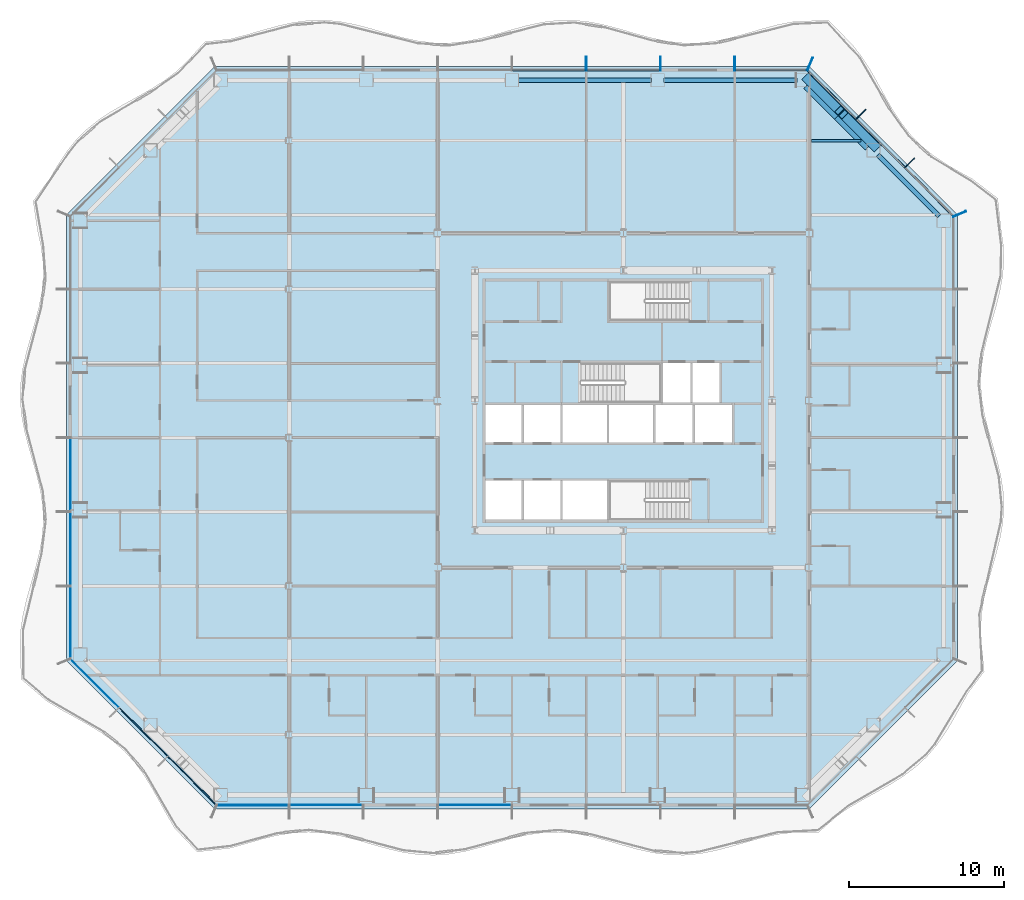
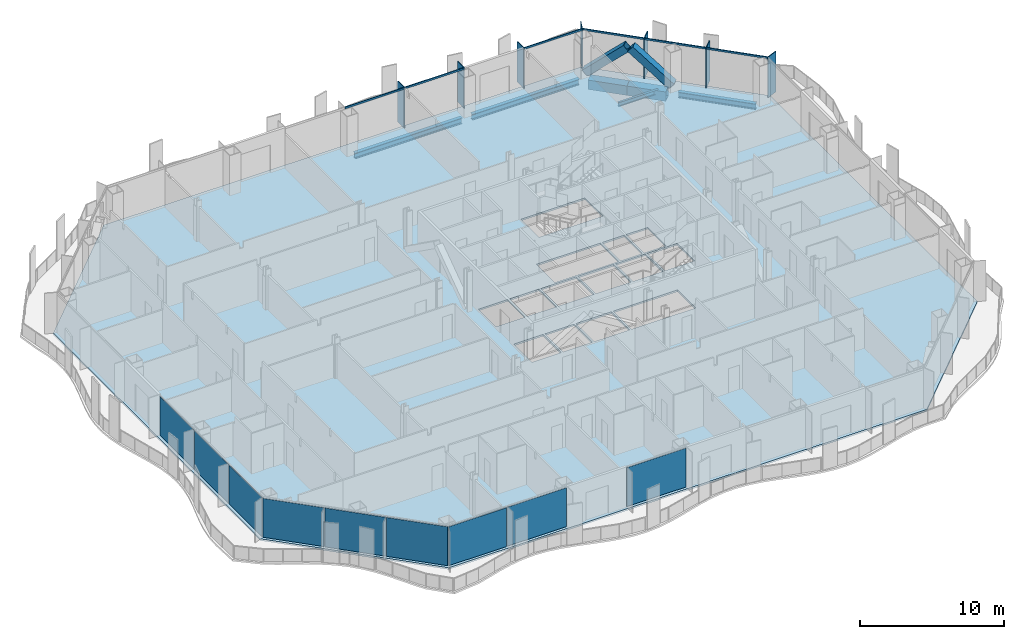
# One storey, part 4 of 20: 15 members, 9 plates, 6 beams, 1 slab, 5 elements without a shape of their own.
"""IFC4 building model written with IfcOpenShell, lengths in metres."""

import ifcopenshell
import ifcopenshell.guid

model = None  # the IFC model being written
_history = None  # IfcOwnerHistory: only IFC2X3 demands one
_inside = {}  # id of a spatial element -> (the spatial element, [elements in it])
_under = {}  # id of a project, library or spatial element -> (it, [spatial elements below it])
_declared = {}  # id of a project -> (the project, [libraries it declares])
_typed = {}  # id of a type object -> (the type object, [elements of that type])
_made_of = {}  # id of a material, layer set ... -> (it, [elements and type objects made of it])


def new_model(schema):
    """Start an empty IFC model of exactly this schema.

    Asked for "IFC4X3", IfcOpenShell would pick the latest addendum, in which some entities
    have other attributes; the version numbers below select the first issue.
    IFC2X3 requires an IfcOwnerHistory on every rooted entity: one is made here for all.
    """
    global model, _history
    if schema == "IFC4X3":
        model = ifcopenshell.file(schema_version=(4, 3, 0, 0))
    else:
        model = ifcopenshell.file(schema=schema)
    _inside.clear()
    _under.clear()
    _declared.clear()
    _typed.clear()
    _made_of.clear()
    _history = None
    if model.schema == "IFC2X3":
        org = make("IfcOrganization", Name="unknown")
        user = make(
            "IfcPersonAndOrganization",
            ThePerson=make("IfcPerson", FamilyName="unknown"),
            TheOrganization=org,
        )
        app = make(
            "IfcApplication",
            ApplicationDeveloper=org,
            Version="unknown",
            ApplicationFullName="unknown",
            ApplicationIdentifier="unknown",
        )
        _history = make(
            "IfcOwnerHistory",
            OwningUser=user,
            OwningApplication=app,
            ChangeAction="ADDED",
            CreationDate=0,
        )
    return model


def make(cls, **values):
    """One entity of the class cls with the attributes given. An attribute that is None is left unset."""
    return model.create_entity(
        cls, **{name: value for name, value in values.items() if value is not None}
    )


def rooted(cls, **values):
    """An entity with a GlobalId (a new one), such as an element, a storey or a relation."""
    return make(cls, GlobalId=ifcopenshell.guid.new(), OwnerHistory=_history, **values)


def si_unit(unit_type, name, prefix=None):
    """IfcSIUnit, for example si_unit("LENGTHUNIT", "METRE", prefix="MILLI")."""
    return make("IfcSIUnit", UnitType=unit_type, Prefix=prefix, Name=name)


def assignment(units):
    """IfcUnitAssignment: the units of a project."""
    return None if units is None else make("IfcUnitAssignment", Units=units)


def point(xyz):
    """IfcCartesianPoint."""
    return None if xyz is None else make("IfcCartesianPoint", Coordinates=xyz)


def direction(xyz):
    """IfcDirection."""
    return None if xyz is None else make("IfcDirection", DirectionRatios=xyz)


def frame(location, z_axis=None, x_axis=None):
    """IfcAxis2Placement3D, a coordinate frame: its origin and axes. An axis left out is left unset."""
    return make(
        "IfcAxis2Placement3D",
        Location=point(location),
        Axis=direction(z_axis),
        RefDirection=direction(x_axis),
    )


def frame_2d(location, x_axis=None):
    """IfcAxis2Placement2D, a coordinate frame in the plane: its origin and x axis."""
    return make(
        "IfcAxis2Placement2D", Location=point(location), RefDirection=direction(x_axis)
    )


def origin():
    """The frame at (0, 0, 0) with its axes left unset."""
    return frame((0.0, 0.0, 0.0))


def origin_2d():
    """The frame at (0, 0) in the plane with its x axis left unset."""
    return frame_2d((0.0, 0.0))


def place(relative_to, where):
    """IfcLocalPlacement: puts the frame where relative to a parent placement (None: the world)."""
    return make(
        "IfcLocalPlacement", PlacementRelTo=relative_to, RelativePlacement=where
    )


def context(
    kind, dimensions, precision=None, world=None, true_north=None, identifier=None
):
    """IfcGeometricRepresentationContext, for example the 3D "Model" context."""
    return make(
        "IfcGeometricRepresentationContext",
        ContextIdentifier=identifier,
        ContextType=kind,
        CoordinateSpaceDimension=dimensions,
        Precision=precision,
        WorldCoordinateSystem=world,
        TrueNorth=true_north,
    )


def subcontext(parent, identifier, kind, view, scale=None):
    """IfcGeometricRepresentationSubContext, for example "Body" below "Model"."""
    return make(
        "IfcGeometricRepresentationSubContext",
        ContextIdentifier=identifier,
        ContextType=kind,
        ParentContext=parent,
        TargetScale=scale,
        TargetView=view,
    )


def project(units=None, contexts=None):
    """IfcProject with its units and contexts."""
    return rooted(
        "IfcProject",
        Name="project",
        RepresentationContexts=contexts,
        UnitsInContext=assignment(units),
    )


def spatial(cls, under=None, at=None, **own):
    """A site, building, storey or space (cls), placed at a placement, below another one or the project."""
    s = rooted(cls, ObjectPlacement=at, **own)
    if under is not None:
        _under.setdefault(under.id(), (under, []))[1].append(s)
    return s


def polyline(points):
    """IfcPolyline through the points."""
    return make("IfcPolyline", Points=[point(p) for p in points])


def profile(cls, at=None, kind="AREA", **sizes):
    """A parametric profile (cls). Its sizes go by their IFC names, for example OverallWidth=200.0."""
    return make(cls, ProfileType=kind, Position=at, **sizes)


def rectangle(**sizes):
    """IfcRectangleProfileDef."""
    return profile("IfcRectangleProfileDef", **sizes)


def hollow_rectangle(**sizes):
    """IfcRectangleHollowProfileDef."""
    return profile("IfcRectangleHollowProfileDef", **sizes)


def i_section(**sizes):
    """IfcIShapeProfileDef."""
    return profile("IfcIShapeProfileDef", **sizes)


def outline(outer, holes=None, kind="AREA"):
    """IfcArbitraryClosedProfileDef: a profile drawn as a closed curve; with holes, ...WithVoids."""
    if holes is None:
        return make("IfcArbitraryClosedProfileDef", ProfileType=kind, OuterCurve=outer)
    return make(
        "IfcArbitraryProfileDefWithVoids",
        ProfileType=kind,
        OuterCurve=outer,
        InnerCurves=holes,
    )


def extrude(swept, where, along, depth):
    """IfcExtrudedAreaSolid: the profile swept, set in the frame where, extruded along a direction by depth."""
    return make(
        "IfcExtrudedAreaSolid",
        SweptArea=swept,
        Position=where,
        ExtrudedDirection=direction(along),
        Depth=depth,
    )


def shape(context_of_items, identifier, shape_type, items):
    """IfcShapeRepresentation: the items that make up one representation, for example the "Body"."""
    return make(
        "IfcShapeRepresentation",
        ContextOfItems=context_of_items,
        RepresentationIdentifier=identifier,
        RepresentationType=shape_type,
        Items=items,
    )


def material(Name=None, Category=None):
    """IfcMaterial."""
    return make("IfcMaterial", Name=Name, Category=Category)


def layer(
    of_material, thickness, ventilated=None, Name=None, Category=None, Priority=None
):
    """IfcMaterialLayer: one layer of a wall or slab, of a material (None: an air gap)."""
    return make(
        "IfcMaterialLayer",
        Material=of_material,
        LayerThickness=thickness,
        IsVentilated=ventilated,
        Name=Name,
        Category=Category,
        Priority=Priority,
    )


def layer_set(layers, Name=None):
    """IfcMaterialLayerSet."""
    return make("IfcMaterialLayerSet", MaterialLayers=layers, LayerSetName=Name)


def material_profile(
    of_material, cross_section, Name=None, Category=None, Priority=None
):
    """IfcMaterialProfile: a cross section and its material."""
    return make(
        "IfcMaterialProfile",
        Name=Name,
        Material=of_material,
        Profile=cross_section,
        Priority=Priority,
        Category=Category,
    )


def profile_set(profiles, Name=None, composite=None):
    """IfcMaterialProfileSet."""
    return make(
        "IfcMaterialProfileSet",
        Name=Name,
        MaterialProfiles=profiles,
        CompositeProfile=composite,
    )


def made_of(thing, what):
    """Note that an element or type object is made of a material, layer set ...; save() writes the relation."""
    if what is not None:
        _made_of.setdefault(what.id(), (what, []))[1].append(thing)
    return thing


def type_object(cls, material=None, **own):
    """A type object (cls), such as IfcWallType, which elements share."""
    return made_of(rooted(cls, **own), material)


def element(
    cls,
    number,
    at=None,
    inside=None,
    cuts=None,
    type_object=None,
    material=None,
    context=None,
    identifier="Body",
    shape_type=None,
    held_by="IfcProductDefinitionShape",
    body=None,
    shapes=None,
    **own,
):
    """One element of the class cls, such as IfcWall. Its Tag is "e" and its number.

    at: its placement. inside: the storey or other place that contains it. cuts: it is an
    opening in that element (IfcRelVoidsElement). A single representation is given by context,
    identifier, shape_type and body (its items); several are given by shapes. held_by: the class
    of the entity that holds the representations. save() writes the other relations.
    """
    e = rooted(cls, Tag="e%d" % number, ObjectPlacement=at, **own)
    if body is not None:
        shapes = [shape(context, identifier, shape_type, body)]
    if shapes is not None:
        e.Representation = make(held_by, Representations=shapes)
    if inside is not None:
        _inside.setdefault(inside.id(), (inside, []))[1].append(e)
    if cuts is not None:
        rooted(
            "IfcRelVoidsElement", RelatingBuildingElement=cuts, RelatedOpeningElement=e
        )
    if type_object is not None:
        _typed.setdefault(type_object.id(), (type_object, []))[1].append(e)
    return made_of(e, material)


def aggregate(whole, parts):
    """IfcRelAggregates: a whole, such as a stair, and the parts it consists of."""
    return rooted("IfcRelAggregates", RelatingObject=whole, RelatedObjects=parts)


def save(model, path):
    """Write the relations noted so far, then the file.

    IfcRelAggregates (storeys below a building ...), IfcRelContainedInSpatialStructure (elements
    in a storey), IfcRelDefinesByType, IfcRelAssociatesMaterial and IfcRelDeclares: one each for
    every whole, place, type object, material and project.
    """
    for whole, parts in _under.values():
        aggregate(whole, parts)
    for where, things in _inside.values():
        rooted(
            "IfcRelContainedInSpatialStructure",
            RelatedElements=things,
            RelatingStructure=where,
        )
    for kind, things in _typed.values():
        rooted("IfcRelDefinesByType", RelatedObjects=things, RelatingType=kind)
    for what, things in _made_of.values():
        rooted("IfcRelAssociatesMaterial", RelatedObjects=things, RelatingMaterial=what)
    for by, libraries in _declared.values():
        rooted("IfcRelDeclares", RelatingContext=by, RelatedDefinitions=libraries)
    model.write(path)


model = new_model("IFC4")

# Units and contexts
model_context = context("Model", 3, precision=1e-05, world=origin(), true_north=direction((0.0, 1.0)))
body_context = subcontext(model_context, "Body", "Model", "MODEL_VIEW")
ifc_project = project(units=[si_unit("LENGTHUNIT", "METRE"), si_unit("AREAUNIT", "SQUARE_METRE"), si_unit("VOLUMEUNIT", "CUBIC_METRE"), si_unit("PLANEANGLEUNIT", "RADIAN"), si_unit("MASSUNIT", "GRAM", prefix="KILO")], contexts=[model_context])

# Site, building, storey
site_placement = place(None, origin())
site = spatial("IfcSite", under=ifc_project, at=site_placement, CompositionType="ELEMENT")
building_placement = place(site_placement, origin())
building = spatial("IfcBuilding", under=site, at=building_placement, Name="Cairn Pilgrim Tower", CompositionType="ELEMENT")
storey_placement = place(building_placement, frame((0.0, 0.0, 83.39990234375)))
storey = spatial("IfcBuildingStorey", under=building, at=storey_placement, Name="L19", CompositionType="ELEMENT", Elevation=83.39990234375)

# Members
ifc_material_1 = material(Name="Structural steel S460M", Category="steel")
ifc_material_profile_1 = material_profile(ifc_material_1, hollow_rectangle(XDim=0.60009765625, YDim=0.60009765625, WallThickness=0.034912109375, at=origin_2d()), Name="BOX 600x600x35")
ifc_profile_set_1 = profile_set([ifc_material_profile_1], Name="Structural steel S460M")
member_type_1 = type_object("IfcMemberType", Name="BOX 600x600x35 BRACE", PredefinedType="BRACE", material=ifc_profile_set_1)
for number, where, z_axis, x_axis, name in (
    (1, (23.4873046875, 18.814697265625, 0.150146484375), (-0.528960912345, 0.52889942671, 0.663675937214), (-0.70706568108, -0.707147878904, 0.0), "XB-NE2-N1-1"),
    (2, (19.078125, 23.2236328125, 0.150146484375), (0.528943710525, -0.528943710525, 0.663654354459), (0.707106781187, 0.707106781187, 0.0), "XB-NE2-N1-2"),
):
    element("IfcMember", number, at=place(storey_placement, frame(where, z_axis=z_axis, x_axis=x_axis)), inside=storey, type_object=member_type_1, Name=name, PredefinedType="BRACE", context=body_context, shape_type="SweptSolid", body=[
        extrude(hollow_rectangle(XDim=0.60009765625, YDim=0.60009765625, WallThickness=0.034912109375, at=origin_2d()), origin(), (0.0, 0.0, 1.0), 3.970703125),
    ])

# Beams
ifc_material_2 = material(Name="Structural steel S355J2", Category="steel")
ifc_material_profile_2 = material_profile(ifc_material_2, hollow_rectangle(XDim=0.699951171875, YDim=0.800048828125, WallThickness=0.0400390625, at=origin_2d()), Name="BOX 700x800x40")
ifc_profile_set_2 = profile_set([ifc_material_profile_2], Name="Structural steel S355J2")
beam_type_1 = type_object("IfcBeamType", Name="BOX 700x800x40 RING GIRDER", PredefinedType="SPANDREL", material=ifc_profile_set_2)
beam_1_placement = place(storey_placement, frame((23.0771484375, 18.85009765625, -0.5498046875), z_axis=(-0.707106781187, 0.707106781187, 0.0), x_axis=(-0.707106781187, -0.707106781187, 0.0)))
element("IfcBeam", 3, at=beam_1_placement, inside=storey, type_object=beam_type_1, Name="RG1-NE2-N1-1", PredefinedType="SPANDREL", context=body_context, shape_type="SweptSolid", body=[
    extrude(hollow_rectangle(XDim=0.699951171875, YDim=0.800048828125, WallThickness=0.0400390625, at=origin_2d()), origin(), (0.0, 0.0, 1.0), 2.802490234375),
])
beam_2_placement = place(storey_placement, frame((21.095458984375, 20.831787109375, -0.5498046875), z_axis=(-0.707106781187, 0.707106781187, 0.0), x_axis=(-0.707106781187, -0.707106781187, 0.0)))
element("IfcBeam", 4, at=beam_2_placement, inside=storey, type_object=beam_type_1, Name="RG1-NE2-N1-2", PredefinedType="SPANDREL", context=body_context, shape_type="SweptSolid", body=[
    extrude(hollow_rectangle(XDim=0.699951171875, YDim=0.800048828125, WallThickness=0.0400390625, at=origin_2d()), origin(), (0.0, 0.0, 1.0), 2.802978515625),
])

# Curtain wall, members
ifc_material_3 = material(Name="Aluminium alloy 6063-T6 bronze anodised with Bronze tinted laminated low-E glass 8+16+8.8", Category="aluminium")
curtain_wall_type_1 = type_object("IfcCurtainWallType", Name="CHAMFER CORNER CURTAIN WALL", PredefinedType="NOTDEFINED", material=ifc_material_3)
curtain_wall_1_placement = place(storey_placement, origin())
curtain_wall_1 = element("IfcCurtainWall", 5, at=curtain_wall_1_placement, inside=storey, type_object=curtain_wall_type_1, Name="Chamfer Corner Curtain Wall NE", PredefinedType="NOTDEFINED")
ifc_material_4 = material(Name="Aluminium alloy 6063-T6 bronze anodised", Category="aluminium")
ifc_material_profile_3 = material_profile(ifc_material_4, rectangle(XDim=0.89990234375, YDim=0.06005859375, at=origin_2d()), Name="FIN MULLION 60x900 BRONZE")
ifc_profile_set_3 = profile_set([ifc_material_profile_3], Name="Aluminium alloy 6063-T6 bronze anodised")
member_type_2 = type_object("IfcMemberType", Name="FIN MULLION 60x900 BRONZE", PredefinedType="MULLION", material=ifc_profile_set_3)
member_1_placement = place(storey_placement, frame((28.93798828125, 14.457275390625, 0.0), z_axis=(0.0, 0.0, 1.0), x_axis=(0.923879532511, 0.382683432365, 0.0)))
member_1 = element("IfcMember", 6, at=member_1_placement, type_object=member_type_2, Name="Fin mullion NE1", PredefinedType="MULLION", context=body_context, shape_type="SweptSolid", body=[
    extrude(rectangle(XDim=0.89990234375, YDim=0.06005859375, at=origin_2d()), origin(), (0.0, 0.0, 1.0), 3.4501953125),
])
member_2_placement = place(storey_placement, frame((25.69580078125, 17.74462890625, 0.0), z_axis=(0.0, 0.0, 1.0), x_axis=(0.707106781187, 0.707106781187, 0.0)))
member_2 = element("IfcMember", 7, at=member_2_placement, type_object=member_type_2, Name="Fin mullion NE2", PredefinedType="MULLION", context=body_context, shape_type="SweptSolid", body=[
    extrude(rectangle(XDim=0.89990234375, YDim=0.06005859375, at=origin_2d()), origin(), (0.0, 0.0, 1.0), 3.4501953125),
])
member_3_placement = place(storey_placement, frame((22.544677734375, 20.895751953125, 0.0), z_axis=(0.0, 0.0, 1.0), x_axis=(0.707106781187, 0.707106781187, 0.0)))
member_3 = element("IfcMember", 8, at=member_3_placement, type_object=member_type_2, Name="Fin mullion NE3", PredefinedType="MULLION", context=body_context, shape_type="SweptSolid", body=[
    extrude(rectangle(XDim=0.89990234375, YDim=0.06005859375, at=origin_2d()), origin(), (0.0, 0.0, 1.0), 3.4501953125),
])

curtain_wall_type_2 = type_object("IfcCurtainWallType", Name="TOWER STICK CURTAIN WALL NS", PredefinedType="NOTDEFINED", material=ifc_material_3)
curtain_wall_2_placement = place(storey_placement, origin())
curtain_wall_2 = element("IfcCurtainWall", 9, at=curtain_wall_2_placement, inside=storey, type_object=curtain_wall_type_2, Name="Tower Stick Curtain Wall Ns N", PredefinedType="NOTDEFINED")
member_4_placement = place(storey_placement, frame((19.257080078125, 24.137939453125, 0.0), z_axis=(0.0, 0.0, 1.0), x_axis=(0.382683432365, 0.923879532511, 0.0)))
member_4 = element("IfcMember", 10, at=member_4_placement, type_object=member_type_2, Name="Fin mullion N1", PredefinedType="MULLION", context=body_context, shape_type="SweptSolid", body=[
    extrude(rectangle(XDim=0.89990234375, YDim=0.06005859375, at=origin_2d()), origin(), (0.0, 0.0, 1.0), 3.4501953125),
])
member_5_placement = place(storey_placement, frame((14.39990234375, 24.169921875, 0.0), z_axis=(0.0, 0.0, 1.0), x_axis=(0.0, 1.0, 0.0)))
member_5 = element("IfcMember", 11, at=member_5_placement, type_object=member_type_2, Name="Fin mullion N2", PredefinedType="MULLION", context=body_context, shape_type="SweptSolid", body=[
    extrude(rectangle(XDim=0.89990234375, YDim=0.06005859375, at=origin_2d()), origin(), (0.0, 0.0, 1.0), 3.4501953125),
])
member_6_placement = place(storey_placement, frame((9.60009765625, 24.169921875, 0.0), z_axis=(0.0, 0.0, 1.0), x_axis=(0.0, 1.0, 0.0)))
member_6 = element("IfcMember", 12, at=member_6_placement, type_object=member_type_2, Name="Fin mullion N3", PredefinedType="MULLION", context=body_context, shape_type="SweptSolid", body=[
    extrude(rectangle(XDim=0.89990234375, YDim=0.06005859375, at=origin_2d()), origin(), (0.0, 0.0, 1.0), 3.4501953125),
])
member_7_placement = place(storey_placement, frame((4.800048828125, 24.169921875, 0.0), z_axis=(0.0, 0.0, 1.0), x_axis=(0.0, 1.0, 0.0)))
member_7 = element("IfcMember", 13, at=member_7_placement, type_object=member_type_2, Name="Fin mullion N4", PredefinedType="MULLION", context=body_context, shape_type="SweptSolid", body=[
    extrude(rectangle(XDim=0.89990234375, YDim=0.06005859375, at=origin_2d()), origin(), (0.0, 0.0, 1.0), 3.4501953125),
])

# Beams
ifc_material_profile_4 = material_profile(ifc_material_2, i_section(OverallWidth=0.300048828125, OverallDepth=0.5, WebThickness=0.014404296875, FlangeThickness=0.028076171875, FilletRadius=0.027099609375, at=origin_2d()), Name="HEB 500")
ifc_profile_set_4 = profile_set([ifc_material_profile_4], Name="Structural steel S355J2")
beam_type_2 = type_object("IfcBeamType", Name="HEB 500 RING GIRDER", PredefinedType="SPANDREL", material=ifc_profile_set_4)
beam_3_placement = place(storey_placement, frame((27.613525390625, 14.313720703125, -0.39990234375), z_axis=(-0.707128558756, 0.707085002947, 0.0), x_axis=(-0.707085002947, -0.707128558756, 0.0)))
element("IfcBeam", 14, at=beam_3_placement, inside=storey, type_object=beam_type_2, Name="RG1-NE1-NE2", PredefinedType="SPANDREL", context=body_context, shape_type="SweptSolid", body=[
    extrude(i_section(OverallWidth=0.300048828125, OverallDepth=0.5, WebThickness=0.014404296875, FlangeThickness=0.028076171875, FilletRadius=0.027099609375, at=origin_2d()), origin(), (0.0, 0.0, 1.0), 5.605224609375),
])
for number, where, z_axis, x_axis, name in (
    (15, (18.422119140625, 23.10009765625, -0.39990234375), (-1.0, 0.0, 0.0), (0.0, -1.0, 0.0), "RG1-N1-N2"),
    (16, (9.008544921875, 23.10009765625, -0.39990234375), (-1.0, 0.0, 0.0), (0.0, -1.0, 0.0), "RG1-N2-N3"),
):
    element("IfcBeam", number, at=place(storey_placement, frame(where, z_axis=z_axis, x_axis=x_axis)), inside=storey, type_object=beam_type_2, Name=name, PredefinedType="SPANDREL", context=body_context, shape_type="SweptSolid", body=[
        extrude(i_section(OverallWidth=0.300048828125, OverallDepth=0.5, WebThickness=0.014404296875, FlangeThickness=0.028076171875, FilletRadius=0.027099609375, at=origin_2d()), origin(), (0.0, 0.0, 1.0), 8.603515625),
    ])
ifc_material_profile_5 = material_profile(ifc_material_2, i_section(OverallWidth=0.169921875, OverallDepth=0.360107421875, WebThickness=0.008056640625, FlangeThickness=0.0126953125, FilletRadius=0.01806640625, at=origin_2d()), Name="IPE 360")
ifc_profile_set_5 = profile_set([ifc_material_profile_5], Name="Structural steel S355J2")
beam_type_3 = type_object("IfcBeamType", Name="IPE 360 SECONDARY BEAM", PredefinedType="JOIST", material=ifc_profile_set_5)
beam_4_placement = place(storey_placement, frame((19.35009765625, 19.199951171875, -0.329833984375), z_axis=(1.0, 0.0, 0.0), x_axis=(0.0, 1.0, 0.0)))
element("IfcBeam", 17, at=beam_4_placement, inside=storey, type_object=beam_type_3, Name="SB9-5", PredefinedType="JOIST", context=body_context, shape_type="SweptSolid", body=[
    extrude(i_section(OverallWidth=0.169921875, OverallDepth=0.360107421875, WebThickness=0.008056640625, FlangeThickness=0.0126953125, FilletRadius=0.01806640625, at=origin_2d()), origin(), (0.0, 0.0, 1.0), 3.195068359375),
])

# Member
ifc_material_profile_6 = material_profile(ifc_material_4, rectangle(XDim=0.080078125, YDim=0.14990234375, at=origin_2d()), Name="TRANSOM 80x150 BRONZE")
ifc_profile_set_6 = profile_set([ifc_material_profile_6], Name="Aluminium alloy 6063-T6 bronze anodised")
member_type_3 = type_object("IfcMemberType", Name="TRANSOM 80x150 BRONZE", PredefinedType="USERDEFINED", material=ifc_profile_set_6)
member_8_placement = place(storey_placement, frame((28.521728515625, 14.32470703125, 3.375), z_axis=(-0.707106781187, 0.707106781187, 0.0), x_axis=(-0.707106781187, -0.707106781187, 0.0)))
member_8 = element("IfcMember", 18, at=member_8_placement, type_object=member_type_3, Name="Transom NE1", ObjectType="TRANSOM", PredefinedType="USERDEFINED", context=body_context, shape_type="SweptSolid", body=[
    extrude(rectangle(XDim=0.080078125, YDim=0.14990234375, at=origin_2d()), origin(), (0.0, 0.0, 1.0), 4.38671875),
])

member_9_placement = place(storey_placement, frame((25.377685546875, 17.46875, 3.375), z_axis=(-0.707106781187, 0.707106781187, 0.0), x_axis=(-0.707106781187, -0.707106781187, 0.0)))
member_9 = element("IfcMember", 19, at=member_9_placement, type_object=member_type_3, Name="Transom NE2", ObjectType="TRANSOM", PredefinedType="USERDEFINED", context=body_context, shape_type="SweptSolid", body=[
    extrude(rectangle(XDim=0.080078125, YDim=0.14990234375, at=origin_2d()), origin(), (0.0, 0.0, 1.0), 4.396728515625),
])

member_10_placement = place(storey_placement, frame((22.226318359375, 20.6201171875, 3.375), z_axis=(-0.707106781187, 0.707106781187, 0.0), x_axis=(-0.707106781187, -0.707106781187, 0.0)))
member_10 = element("IfcMember", 20, at=member_10_placement, type_object=member_type_3, Name="Transom NE3", ObjectType="TRANSOM", PredefinedType="USERDEFINED", context=body_context, shape_type="SweptSolid", body=[
    extrude(rectangle(XDim=0.080078125, YDim=0.14990234375, at=origin_2d()), origin(), (0.0, 0.0, 1.0), 4.38623046875),
])

aggregate(curtain_wall_1, [member_1, member_2, member_3, member_8, member_9, member_10])

member_11_placement = place(storey_placement, frame((19.056396484375, 23.75, 3.375), z_axis=(-1.0, 0.0, 0.0), x_axis=(0.0, -1.0, 0.0)))
member_11 = element("IfcMember", 21, at=member_11_placement, type_object=member_type_3, Name="Transom N1", ObjectType="TRANSOM", PredefinedType="USERDEFINED", context=body_context, shape_type="SweptSolid", body=[
    extrude(rectangle(XDim=0.080078125, YDim=0.14990234375, at=origin_2d()), origin(), (0.0, 0.0, 1.0), 4.62646484375),
])

member_12_placement = place(storey_placement, frame((9.570068359375, 23.75, 3.375), z_axis=(-1.0, 0.0, 0.0), x_axis=(0.0, -1.0, 0.0)))
member_12 = element("IfcMember", 22, at=member_12_placement, type_object=member_type_3, Name="Transom N3", ObjectType="TRANSOM", PredefinedType="USERDEFINED", context=body_context, shape_type="SweptSolid", body=[
    extrude(rectangle(XDim=0.080078125, YDim=0.14990234375, at=origin_2d()), origin(), (0.0, 0.0, 1.0), 4.739990234375),
])

member_13_placement = place(storey_placement, frame((4.77001953125, 23.75, 3.375), z_axis=(-1.0, 0.0, 0.0), x_axis=(0.0, -1.0, 0.0)))
member_13 = element("IfcMember", 23, at=member_13_placement, type_object=member_type_3, Name="Transom N4", ObjectType="TRANSOM", PredefinedType="USERDEFINED", context=body_context, shape_type="SweptSolid", body=[
    extrude(rectangle(XDim=0.080078125, YDim=0.14990234375, at=origin_2d()), origin(), (0.0, 0.0, 1.0), 4.739990234375),
])

aggregate(curtain_wall_2, [member_4, member_5, member_6, member_7, member_11, member_12, member_13])

# Slab
ifc_material_5 = material(Name="Concrete C35/45", Category="concrete")
ifc_layer_1 = layer(ifc_material_5, 0.14990234375)
ifc_layer_set_1 = layer_set([ifc_layer_1], Name="COMPOSITE FLOOR SLAB 150")
slab_type = type_object("IfcSlabType", Name="COMPOSITE FLOOR SLAB 150", PredefinedType="FLOOR", material=ifc_layer_set_1)
slab_placement = place(storey_placement, frame((0.0, 0.0, -0.14990234375)))
element("IfcSlab", 24, at=slab_placement, inside=storey, type_object=slab_type, Name="FLOOR SLAB L19", PredefinedType="FLOOR", context=body_context, shape_type="SweptSolid", body=[
    extrude(outline(polyline([(-19.199951171875, -24.0), (19.199951171875, -24.0), (28.800048828125, -14.39990234375), (28.800048828125, 14.39990234375), (19.199951171875, 24.0), (-19.199951171875, 24.0), (-28.800048828125, 14.39990234375), (-28.800048828125, -14.39990234375), (-19.199951171875, -24.0)]), holes=[polyline([(-1.72509765625, -5.300048828125), (0.625, -5.300048828125), (0.625, -2.77490234375), (-1.72509765625, -2.77490234375), (-1.72509765625, -5.300048828125)]), polyline([(0.77490234375, -5.300048828125), (3.125, -5.300048828125), (3.125, -2.77490234375), (0.77490234375, -2.77490234375), (0.77490234375, -5.300048828125)]), polyline([(-1.72509765625, -0.324951171875), (0.625, -0.324951171875), (0.625, 2.125), (-1.72509765625, 2.125), (-1.72509765625, -0.324951171875)]), polyline([(0.77490234375, -0.324951171875), (3.125, -0.324951171875), (3.125, 2.125), (0.77490234375, 2.125), (0.77490234375, -0.324951171875)]), polyline([(3.27490234375, -5.300048828125), (6.125, -5.300048828125), (6.125, -2.77490234375), (3.27490234375, -2.77490234375), (3.27490234375, -5.300048828125)]), polyline([(3.27490234375, -0.324951171875), (6.125, -0.324951171875), (6.125, 2.125), (3.27490234375, 2.125), (3.27490234375, -0.324951171875)]), polyline([(6.27490234375, -0.324951171875), (9.125, -0.324951171875), (9.125, 2.125), (6.27490234375, 2.125), (6.27490234375, -0.324951171875)]), polyline([(9.27490234375, -0.324951171875), (11.675048828125, -0.324951171875), (11.675048828125, 2.125), (9.27490234375, 2.125), (9.27490234375, -0.324951171875)]), polyline([(11.824951171875, -0.324951171875), (14.22509765625, -0.324951171875), (14.22509765625, 2.125), (11.824951171875, 2.125), (11.824951171875, -0.324951171875)]), polyline([(9.77490234375, 2.27490234375), (11.52490234375, 2.27490234375), (11.52490234375, 4.824951171875), (9.77490234375, 4.824951171875), (9.77490234375, 2.27490234375)]), polyline([(11.675048828125, 2.27490234375), (13.425048828125, 2.27490234375), (13.425048828125, 4.824951171875), (11.675048828125, 4.824951171875), (11.675048828125, 2.27490234375)]), polyline([(11.424560546875, -2.77490234375), (6.27490234375, -2.77490234375), (6.27490234375, -5.300048828125), (11.424560546875, -5.300048828125), (11.424560546875, -2.77490234375)]), polyline([(4.4755859375, 2.27490234375), (9.625, 2.27490234375), (9.625, 4.824951171875), (4.4755859375, 4.824951171875), (4.4755859375, 2.27490234375)]), polyline([(11.424560546875, 10.10009765625), (6.27490234375, 10.10009765625), (6.27490234375, 7.574951171875), (11.424560546875, 7.574951171875), (11.424560546875, 10.10009765625)])]), origin(), (0.0, 0.0, 1.0), 0.14990234375),
])

# Curtain wall, plates
curtain_wall_3_placement = place(storey_placement, origin())
curtain_wall_3 = element("IfcCurtainWall", 25, at=curtain_wall_3_placement, inside=storey, type_object=curtain_wall_type_1, Name="Chamfer Corner Curtain Wall SW", PredefinedType="NOTDEFINED")
ifc_material_6 = material(Name="Bronze anodised aluminium spandrel panel with mineral wool insulation", Category="aluminium")
ifc_layer_2 = layer(ifc_material_6, 0.06005859375)
ifc_layer_set_2 = layer_set([ifc_layer_2], Name="SPANDREL PANEL 4386x3300")
plate_type_1 = type_object("IfcPlateType", Name="SPANDREL PANEL 4386x3300", PredefinedType="CURTAIN_PANEL", material=ifc_layer_set_2)
plate_1_placement = place(storey_placement, frame((-20.675537109375, -22.1708984375, 0.0), z_axis=(0.0, 0.0, 1.0), x_axis=(0.707106781187, -0.707106781187, 0.0)))
plate_1 = element("IfcPlate", 26, at=plate_1_placement, type_object=plate_type_1, Name="Spandrel Panel SW3-1", PredefinedType="CURTAIN_PANEL", context=body_context, shape_type="SweptSolid", body=[
    extrude(rectangle(XDim=4.386474609375, YDim=0.06005859375, at=origin_2d()), origin(), (0.0, 0.0, 1.0), 3.300048828125),
])
ifc_layer_3 = layer(ifc_material_6, 0.06005859375)
ifc_layer_set_3 = layer_set([ifc_layer_3], Name="SPANDREL PANEL 4396x3300")
plate_type_2 = type_object("IfcPlateType", Name="SPANDREL PANEL 4396x3300", PredefinedType="CURTAIN_PANEL", material=ifc_layer_set_3)
plate_2_placement = place(storey_placement, frame((-23.8232421875, -19.023193359375, 0.0), z_axis=(0.0, 0.0, 1.0), x_axis=(0.707106781187, -0.707106781187, 0.0)))
plate_2 = element("IfcPlate", 27, at=plate_2_placement, type_object=plate_type_2, Name="Spandrel Panel SW2-1", PredefinedType="CURTAIN_PANEL", context=body_context, shape_type="SweptSolid", body=[
    extrude(rectangle(XDim=4.396484375, YDim=0.06005859375, at=origin_2d()), origin(), (0.0, 0.0, 1.0), 3.300048828125),
])

# Curtain wall, plate
curtain_wall_4_placement = place(storey_placement, origin())
curtain_wall_4 = element("IfcCurtainWall", 28, at=curtain_wall_4_placement, inside=storey, type_object=curtain_wall_type_2, Name="Tower Stick Curtain Wall Ns S", PredefinedType="NOTDEFINED")
ifc_layer_4 = layer(ifc_material_6, 0.06005859375)
ifc_layer_set_4 = layer_set([ifc_layer_4], Name="SPANDREL PANEL 4626x3300")
plate_type_3 = type_object("IfcPlateType", Name="SPANDREL PANEL 4626x3300", PredefinedType="CURTAIN_PANEL", material=ifc_layer_set_4)
plate_3_placement = place(storey_placement, frame((-16.7431640625, -23.75, 0.0), z_axis=(0.0, 0.0, 1.0), x_axis=(1.0, 0.0, 0.0)))
plate_3 = element("IfcPlate", 29, at=plate_3_placement, type_object=plate_type_3, Name="Spandrel Panel S1-1", PredefinedType="CURTAIN_PANEL", context=body_context, shape_type="SweptSolid", body=[
    extrude(rectangle(XDim=4.62646484375, YDim=0.06005859375, at=origin_2d()), origin(), (0.0, 0.0, 1.0), 3.300048828125),
])

# Plate
ifc_material_7 = material(Name="Bronze tinted laminated low-E glass 8+16+8.8", Category="glass")
ifc_layer_5 = layer(ifc_material_7, 0.033935546875)
ifc_layer_set_5 = layer_set([ifc_layer_5], Name="VISION GLAZING 4386x3300")
plate_type_4 = type_object("IfcPlateType", Name="VISION GLAZING 4386x3300", PredefinedType="CURTAIN_PANEL", material=ifc_layer_set_5)
plate_4_placement = place(storey_placement, frame((-26.970947265625, -15.87548828125, 0.0), z_axis=(0.0, 0.0, 1.0), x_axis=(0.707106781187, -0.707106781187, 0.0)))
plate_4 = element("IfcPlate", 30, at=plate_4_placement, type_object=plate_type_4, Name="Vision Glazing SW1-1", PredefinedType="CURTAIN_PANEL", context=body_context, shape_type="SweptSolid", body=[
    extrude(rectangle(XDim=4.386474609375, YDim=0.033935546875, at=origin_2d()), origin(), (0.0, 0.0, 1.0), 3.300048828125),
])

aggregate(curtain_wall_3, [plate_4, plate_2, plate_1])

# Curtain wall, plate
curtain_wall_type_3 = type_object("IfcCurtainWallType", Name="TOWER STICK CURTAIN WALL EW", PredefinedType="NOTDEFINED", material=ifc_material_3)
curtain_wall_5_placement = place(storey_placement, origin())
curtain_wall_5 = element("IfcCurtainWall", 31, at=curtain_wall_5_placement, inside=storey, type_object=curtain_wall_type_3, Name="Tower Stick Curtain Wall Ew W", PredefinedType="NOTDEFINED")
ifc_layer_6 = layer(ifc_material_7, 0.033935546875)
ifc_layer_set_6 = layer_set([ifc_layer_6], Name="VISION GLAZING 4626x3300")
plate_type_5 = type_object("IfcPlateType", Name="VISION GLAZING 4626x3300", PredefinedType="CURTAIN_PANEL", material=ifc_layer_set_6)
plate_5_placement = place(storey_placement, frame((-28.550048828125, -11.943115234375, 0.0), z_axis=(0.0, 0.0, 1.0), x_axis=(0.0, -1.0, 0.0)))
plate_5 = element("IfcPlate", 32, at=plate_5_placement, type_object=plate_type_5, Name="Vision Glazing W6-1", PredefinedType="CURTAIN_PANEL", context=body_context, shape_type="SweptSolid", body=[
    extrude(rectangle(XDim=4.62646484375, YDim=0.033935546875, at=origin_2d()), origin(), (0.0, 0.0, 1.0), 3.300048828125),
])

# Plate
ifc_layer_7 = layer(ifc_material_7, 0.033935546875)
ifc_layer_set_7 = layer_set([ifc_layer_7], Name="VISION GLAZING 4740x3300")
plate_type_6 = type_object("IfcPlateType", Name="VISION GLAZING 4740x3300", PredefinedType="CURTAIN_PANEL", material=ifc_layer_set_7)
plate_6_placement = place(storey_placement, frame((-12.0, -23.75, 0.0), z_axis=(0.0, 0.0, 1.0), x_axis=(1.0, 0.0, 0.0)))
plate_6 = element("IfcPlate", 33, at=plate_6_placement, type_object=plate_type_6, Name="Vision Glazing S2-1", PredefinedType="CURTAIN_PANEL", context=body_context, shape_type="SweptSolid", body=[
    extrude(rectangle(XDim=4.739990234375, YDim=0.033935546875, at=origin_2d()), origin(), (0.0, 0.0, 1.0), 3.300048828125),
])

plate_7_placement = place(storey_placement, frame((-2.39990234375, -23.75, 0.0), z_axis=(0.0, 0.0, 1.0), x_axis=(1.0, 0.0, 0.0)))
plate_7 = element("IfcPlate", 34, at=plate_7_placement, type_object=plate_type_6, Name="Vision Glazing S4-1", PredefinedType="CURTAIN_PANEL", context=body_context, shape_type="SweptSolid", body=[
    extrude(rectangle(XDim=4.739990234375, YDim=0.033935546875, at=origin_2d()), origin(), (0.0, 0.0, 1.0), 3.300048828125),
])

aggregate(curtain_wall_4, [plate_3, plate_6, plate_7])

plate_8_placement = place(storey_placement, frame((-28.550048828125, -2.39990234375, 0.0), z_axis=(0.0, 0.0, 1.0), x_axis=(0.0, -1.0, 0.0)))
plate_8 = element("IfcPlate", 35, at=plate_8_placement, type_object=plate_type_6, Name="Vision Glazing W4-1", PredefinedType="CURTAIN_PANEL", context=body_context, shape_type="SweptSolid", body=[
    extrude(rectangle(XDim=4.739990234375, YDim=0.033935546875, at=origin_2d()), origin(), (0.0, 0.0, 1.0), 3.300048828125),
])

plate_9_placement = place(storey_placement, frame((-28.550048828125, -7.199951171875, 0.0), z_axis=(0.0, 0.0, 1.0), x_axis=(0.0, -1.0, 0.0)))
plate_9 = element("IfcPlate", 36, at=plate_9_placement, type_object=plate_type_6, Name="Vision Glazing W5-1", PredefinedType="CURTAIN_PANEL", context=body_context, shape_type="SweptSolid", body=[
    extrude(rectangle(XDim=4.739990234375, YDim=0.033935546875, at=origin_2d()), origin(), (0.0, 0.0, 1.0), 3.300048828125),
])

aggregate(curtain_wall_5, [plate_8, plate_9, plate_5])

save(model, "model.ifc")
